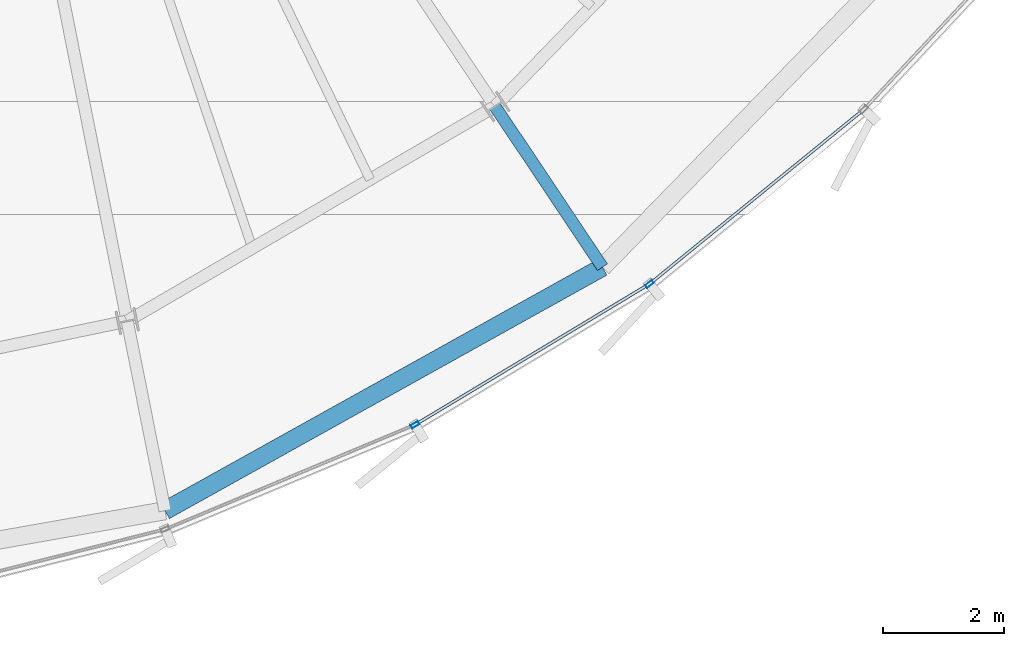
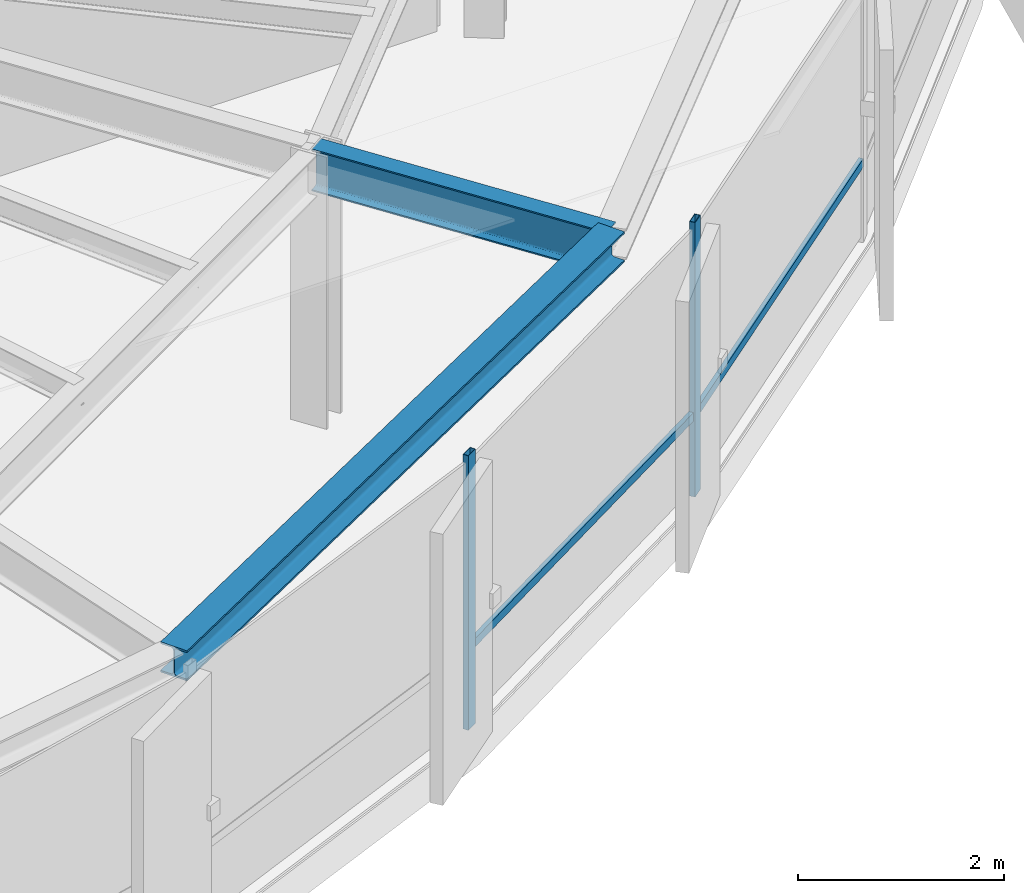
# One storey, part 13 of 36: 4 members, 2 beams, 1 element without a shape of its own.
"""IFC4 building model written with IfcOpenShell, lengths in metres."""

from ifc_helpers import new_model, si_unit, direction, frame, origin, origin_2d, place, context, subcontext, project, spatial, hollow_rectangle, i_section, extrude, source, transform, mapped, material, layer, layer_set, material_profile, profile_set, type_object, element, aggregate, save


model = new_model("IFC4")

# Units and contexts
model_context = context("Model", 3, precision=1e-05, world=origin(), true_north=direction((0.0, 1.0)))
body_context = subcontext(model_context, "Body", "Model", "MODEL_VIEW")
ifc_project = project(units=[si_unit("LENGTHUNIT", "METRE"), si_unit("AREAUNIT", "SQUARE_METRE"), si_unit("VOLUMEUNIT", "CUBIC_METRE"), si_unit("PLANEANGLEUNIT", "RADIAN"), si_unit("MASSUNIT", "GRAM", prefix="KILO"), si_unit("THERMODYNAMICTEMPERATUREUNIT", "KELVIN")], contexts=[model_context])

# Site, building, storey
site_placement = place(None, origin())
site = spatial("IfcSite", under=ifc_project, at=site_placement, CompositionType="ELEMENT")
building_placement = place(site_placement, origin())
building = spatial("IfcBuilding", under=site, at=building_placement, Name="Kethvar Cultural Tower", CompositionType="ELEMENT")
storey_placement = place(building_placement, frame((0.0, 0.0, 176.39990234375)))
storey = spatial("IfcBuildingStorey", under=building, at=storey_placement, Name="L45", CompositionType="ELEMENT", Elevation=176.39990234375)

# Beams
ifc_material_1 = material(Name="Steel S355J2", Category="steel")
ifc_material_profile_1 = material_profile(ifc_material_1, i_section(OverallWidth=0.199951171875, OverallDepth=0.5, WebThickness=0.01025390625, FlangeThickness=0.01611328125, FilletRadius=0.02099609375, at=origin_2d()), Name="Steel S355J2 — IPE500")
ifc_profile_set_1 = profile_set([ifc_material_profile_1], Name="Steel S355J2 — IPE500")
beam_type_1 = type_object("IfcBeamType", Name="BM-IPE500", PredefinedType="BEAM", material=ifc_profile_set_1)
shared_shape_1 = source(origin(), body_context, "Body", "SweptSolid", [
    extrude(i_section(OverallWidth=0.199951171875, OverallDepth=0.5, WebThickness=0.01025390625, FlangeThickness=0.01611328125, FilletRadius=0.02099609375, at=origin_2d()), origin(), (0.0, 0.0, 1.0), 3.199951171875),
])
beam_1_placement = place(storey_placement, frame((56.474609375, 13.32080078125, 3.008056640625), z_axis=(0.555580212716, -0.831462943996, 0.0), x_axis=(0.831462943996, 0.555580212716, 0.0)))
element("IfcBeam", 1, at=beam_1_placement, inside=storey, type_object=beam_type_1, Name="L45 Perimeter Cantilever Beam RC-14", PredefinedType="BEAM", context=body_context, shape_type="MappedRepresentation", body=[
    mapped(shared_shape_1, transform((0.0, 0.0, 0.0), scale=1.0)),
])
ifc_material_profile_2 = material_profile(ifc_material_1, i_section(OverallWidth=0.300048828125, OverallDepth=0.360107421875, WebThickness=0.012451171875, FlangeThickness=0.0224609375, FilletRadius=0.027099609375, at=origin_2d()), Name="Steel S355J2 — HEB360")
ifc_profile_set_2 = profile_set([ifc_material_profile_2], Name="Steel S355J2 — HEB360")
beam_type_2 = type_object("IfcBeamType", Name="BM-SP360", PredefinedType="SPANDREL", material=ifc_profile_set_2)
shared_shape_2 = source(origin(), body_context, "Body", "SweptSolid", [
    extrude(i_section(OverallWidth=0.300048828125, OverallDepth=0.360107421875, WebThickness=0.012451171875, FlangeThickness=0.0224609375, FilletRadius=0.027099609375, at=origin_2d()), origin(), (0.0, 0.0, 1.0), 8.287353515625),
])
beam_2_placement = place(storey_placement, frame((51.010986328125, 6.630126953125, 3.078125), z_axis=(0.873798521244, 0.486288128862, 0.0), x_axis=(-0.486288128862, 0.873798521244, 0.0)))
element("IfcBeam", 2, at=beam_2_placement, inside=storey, type_object=beam_type_2, Name="L45 Perimeter Spandrel Beam SP-13", PredefinedType="SPANDREL", context=body_context, shape_type="MappedRepresentation", body=[
    mapped(shared_shape_2, transform((0.0, 0.0, 0.0), scale=1.0)),
])

# Curtain wall, members
ifc_material_2 = material(Name="Aluminium 6063-T6", Category="aluminium")
ifc_layer = layer(ifc_material_2, 0.179931640625, Name="Aluminium 6063-T6", Category="aluminium")
ifc_layer_set = layer_set([ifc_layer], Name="Aluminium 6063-T6 (180 mm)")
curtain_wall_type = type_object("IfcCurtainWallType", Name="CW-SYS-04-Z34", PredefinedType="NOTDEFINED", material=ifc_layer_set)
curtain_wall_placement = place(storey_placement, origin())
curtain_wall = element("IfcCurtainWall", 3, at=curtain_wall_placement, inside=storey, type_object=curtain_wall_type, Name="L45 Curtain Wall Run 05", PredefinedType="NOTDEFINED")
ifc_material_profile_3 = material_profile(ifc_material_2, hollow_rectangle(XDim=0.06005859375, YDim=0.139892578125, WallThickness=0.0048828125, at=origin_2d()), Name="Aluminium 6063-T6 — RHS140x60x5")
ifc_profile_set_3 = profile_set([ifc_material_profile_3], Name="Aluminium 6063-T6 — RHS140x60x5")
member_type_1 = type_object("IfcMemberType", Name="CW-SYS-04-Z34-MUL", PredefinedType="MULLION", material=ifc_profile_set_3)
shared_shape_3 = source(origin(), body_context, "Body", "SweptSolid", [
    extrude(hollow_rectangle(XDim=0.06005859375, YDim=0.139892578125, WallThickness=0.0048828125, at=origin_2d()), origin(), (0.0, 0.0, 1.0), 3.260009765625),
])
member_1_placement = place(storey_placement, frame((55.14990234375, 8.05224609375, 0.0), z_axis=(0.0, 0.0, 1.0), x_axis=(-0.514993193029, 0.857194266858, 0.0)))
member_1 = element("IfcMember", 4, at=member_1_placement, type_object=member_type_1, Name="CW-L45-R05 Mullion 3", PredefinedType="MULLION", context=body_context, shape_type="MappedRepresentation", body=[
    mapped(shared_shape_3, transform((0.0, 0.0, 0.0), scale=1.0)),
])
member_2_placement = place(storey_placement, frame((59.031494140625, 10.3828125, 0.0), z_axis=(0.0, 0.0, 1.0), x_axis=(-0.631501668308, 0.775374517846, 0.0)))
member_2 = element("IfcMember", 5, at=member_2_placement, type_object=member_type_1, Name="CW-L45-R05 Mullion 4", PredefinedType="MULLION", context=body_context, shape_type="MappedRepresentation", body=[
    mapped(shared_shape_3, transform((0.0, 0.0, 0.0), scale=1.0)),
])
ifc_material_profile_4 = material_profile(ifc_material_2, hollow_rectangle(XDim=0.050048828125, YDim=0.10009765625, WallThickness=0.00390625, at=origin_2d()), Name="Aluminium 6063-T6 — RHS100x50x4")
ifc_profile_set_4 = profile_set([ifc_material_profile_4], Name="Aluminium 6063-T6 — RHS100x50x4")
member_type_2 = type_object("IfcMemberType", Name="CW-SYS-04-Z34-TRN", PredefinedType="USERDEFINED", material=ifc_profile_set_4)
shared_shape_4 = source(origin(), body_context, "Body", "SweptSolid", [
    extrude(hollow_rectangle(XDim=0.050048828125, YDim=0.10009765625, WallThickness=0.00390625, at=origin_2d()), origin(), (0.0, 0.0, 1.0), 4.45654296875),
])
member_3_placement = place(storey_placement, frame((55.18701171875, 8.074462890625, 0.9501953125), z_axis=(0.857183410111, 0.515011263402, 0.0), x_axis=(-0.515011263402, 0.857183410111, 0.0)))
member_3 = element("IfcMember", 6, at=member_3_placement, type_object=member_type_2, Name="CW-L45-R05 Transom 3", ObjectType="TRANSOM", PredefinedType="USERDEFINED", context=body_context, shape_type="MappedRepresentation", body=[
    mapped(shared_shape_4, transform((0.0, 0.0, 0.0), scale=1.0)),
])
shared_shape_5 = source(origin(), body_context, "Body", "SweptSolid", [
    extrude(hollow_rectangle(XDim=0.050048828125, YDim=0.10009765625, WallThickness=0.00390625, at=origin_2d()), origin(), (0.0, 0.0, 1.0), 4.501708984375),
])
member_4_placement = place(storey_placement, frame((59.06494140625, 10.41015625, 0.9501953125), z_axis=(0.775352019898, 0.63152929088, 0.0), x_axis=(-0.63152929088, 0.775352019898, 0.0)))
member_4 = element("IfcMember", 7, at=member_4_placement, type_object=member_type_2, Name="CW-L45-R05 Transom 4", ObjectType="TRANSOM", PredefinedType="USERDEFINED", context=body_context, shape_type="MappedRepresentation", body=[
    mapped(shared_shape_5, transform((0.0, 0.0, 0.0), scale=1.0)),
])
aggregate(curtain_wall, [member_1, member_2, member_3, member_4])

save(model, "model.ifc")
